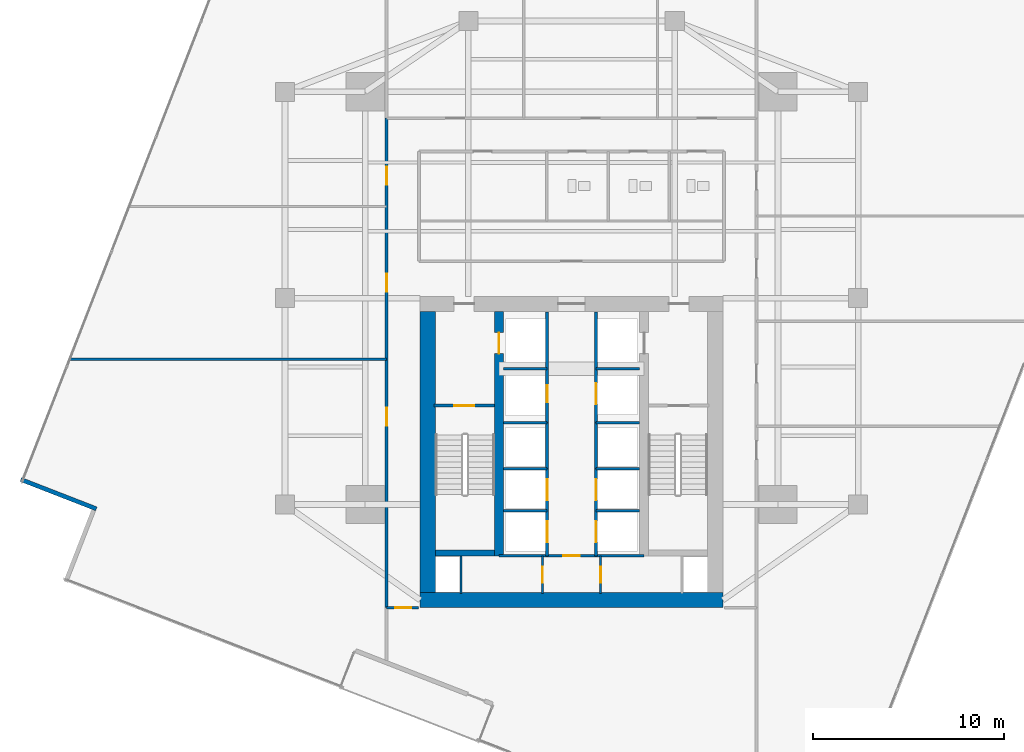
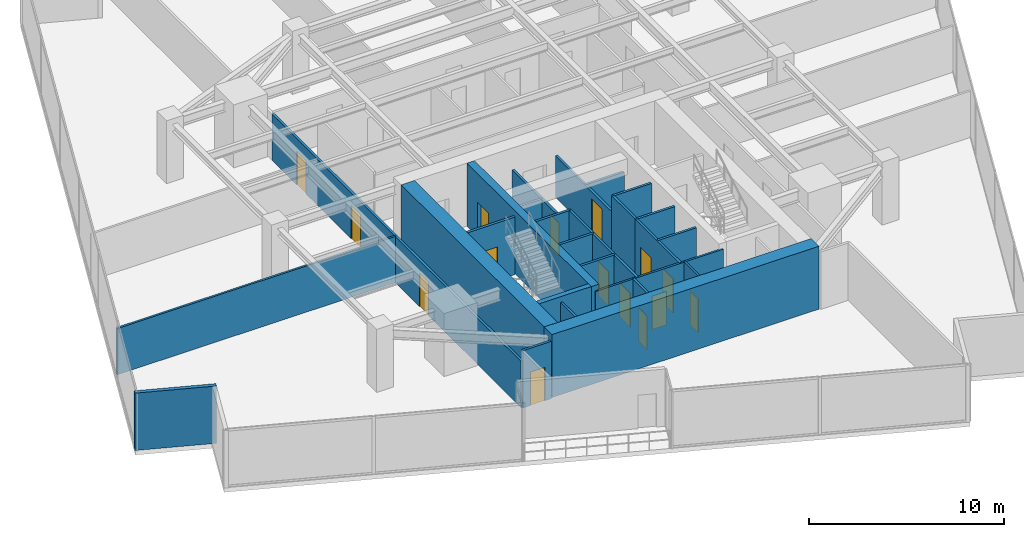
# One storey, part 22 of 26: 27 walls, 15 doors, 15 openings.
"""IFC4 building model written with IfcOpenShell, lengths in metres."""

from ifc_helpers import new_model, si_unit, direction, frame, frame_2d, origin, place, context, subcontext, project, spatial, rectangle, extrude, material, layer, layer_set, type_object, element, fill, save


model = new_model("IFC4")

# Units and contexts
model_context = context("Model", 3, precision=1e-05, world=origin(), true_north=direction((0.0, 1.0)))
body_context = subcontext(model_context, "Body", "Model", "MODEL_VIEW")
ifc_project = project(units=[si_unit("LENGTHUNIT", "METRE"), si_unit("AREAUNIT", "SQUARE_METRE"), si_unit("VOLUMEUNIT", "CUBIC_METRE"), si_unit("PLANEANGLEUNIT", "RADIAN"), si_unit("MASSUNIT", "GRAM", prefix="KILO")], contexts=[model_context])

# Site, building, storey
site_placement = place(None, origin())
site = spatial("IfcSite", under=ifc_project, at=site_placement, CompositionType="ELEMENT")
building_placement = place(site_placement, origin())
building = spatial("IfcBuilding", under=site, at=building_placement, Name="Krantzveldt Concourse Tower", CompositionType="ELEMENT")
storey_placement = place(building_placement, frame((0.0, 0.0, 137.449951171875)))
storey = spatial("IfcBuildingStorey", under=building, at=storey_placement, Name="L33", CompositionType="ELEMENT", Elevation=137.449951171875)

# Wall
ifc_material_1 = material(Name="Anodised aluminium 6063-T6", Category="aluminium")
ifc_layer_1 = layer(ifc_material_1, 0.219970703125, Name="Anodised aluminium 6063-T6", Category="aluminium")
ifc_layer_set_1 = layer_set([ifc_layer_1], Name="Anodised aluminium 6063-T6 (WL-EXT-NOTCH220)")
wall_type_1 = type_object("IfcWallType", Name="WL-EXT-NOTCH220", PredefinedType="ELEMENTEDWALL", material=ifc_layer_set_1)
wall_1_placement = place(storey_placement, frame((7.17626953125, 17.211669921875, 0.0), z_axis=(0.0, 0.0, 1.0), x_axis=(0.932003592198, -0.362449036596, 0.0)))
element("IfcWall", 1, at=wall_1_placement, inside=storey, type_object=wall_type_1, Name="EW-L33-NCH02", PredefinedType="ELEMENTEDWALL", context=body_context, shape_type="SweptSolid", body=[
    extrude(rectangle(XDim=4.244873046875, YDim=0.219970703125, at=frame_2d((2.12255859375, 0.0))), origin(), (0.0, 0.0, 1.0), 3.60009765625),
])

# Wall, opening, door
ifc_material_2 = material(Name="Fire-rated gypsum plasterboard on steel stud", Category="steel")
ifc_layer_2 = layer(ifc_material_2, 0.1201171875, Name="Fire-rated gypsum plasterboard on steel stud", Category="steel")
ifc_layer_set_2 = layer_set([ifc_layer_2], Name="Fire-rated gypsum plasterboard on steel stud (WL-PART-120)")
wall_type_2 = type_object("IfcWallType", Name="WL-PART-120", PredefinedType="PARTITIONING", material=ifc_layer_set_2)
wall_2_placement = place(storey_placement, frame((32.2099609375, 13.219970703125, 0.0), z_axis=(0.0, 0.0, 1.0), x_axis=(1.0, 0.0, 0.0)))
wall_2 = element("IfcWall", 2, at=wall_2_placement, inside=storey, type_object=wall_type_2, Name="WP-L33-CS2H", PredefinedType="PARTITIONING", context=body_context, shape_type="SweptSolid", body=[
    extrude(rectangle(XDim=7.580078125, YDim=0.1201171875, at=frame_2d((3.7900390625, 0.0))), origin(), (0.0, 0.0, 1.0), 3.60009765625),
])
opening_1_placement = place(wall_2_placement, frame((3.364990234375, 0.0, 0.0)))
opening_1 = element("IfcOpeningElement", 3, at=opening_1_placement, cuts=wall_2, Name="Opening D-IN085", PredefinedType="OPENING", context=body_context, shape_type="SweptSolid", body=[
    extrude(rectangle(XDim=0.85009765625, YDim=2.10009765625, at=frame_2d((0.425048828125, 1.050048828125))), frame((0.0, 0.070068359375, 0.0), z_axis=(0.0, -1.0, 0.0), x_axis=(1.0, 0.0, 0.0)), (0.0, 0.0, 1.0), 0.14013671875),
])
ifc_material_3 = material(Name="Hardwood timber", Category="wood")
door_type_1 = type_object("IfcDoorType", Name="DR-INT-850", OperationType="SINGLE_SWING_LEFT", PredefinedType="DOOR", material=ifc_material_3)
door_1_placement = place(opening_1_placement, origin())
door_1 = element("IfcDoor", 4, at=door_1_placement, inside=storey, type_object=door_type_1, Name="DR-L33-LLBS", OperationType="SINGLE_SWING_RIGHT", OverallHeight=2.10009765625, OverallWidth=0.85009765625, PredefinedType="DOOR", context=body_context, shape_type="SweptSolid", body=[
    extrude(rectangle(XDim=0.85009765625, YDim=2.10009765625, at=frame_2d((0.425048828125, 1.050048828125))), frame((0.0, 0.02490234375, 0.0), z_axis=(0.0, -1.0, 0.0), x_axis=(1.0, 0.0, 0.0)), (0.0, 0.0, 1.0), 0.050048828125),
])
fill(opening_1, door_1)

wall_3_placement = place(storey_placement, frame((34.47998046875, 11.25, 0.0), z_axis=(0.0, 0.0, 1.0), x_axis=(0.0, 1.0, 0.0)))
wall_3 = element("IfcWall", 5, at=wall_3_placement, inside=storey, type_object=wall_type_2, Name="WP-L33-CSB-VL", PredefinedType="PARTITIONING", context=body_context, shape_type="SweptSolid", body=[
    extrude(rectangle(XDim=1.969970703125, YDim=0.1201171875, at=frame_2d((0.98486328125, 0.0))), origin(), (0.0, 0.0, 1.0), 3.60009765625),
])
opening_2_placement = place(wall_3_placement, frame((0.544921875, 0.0, 0.0)))
opening_2 = element("IfcOpeningElement", 6, at=opening_2_placement, cuts=wall_3, Name="Opening D-IN085", PredefinedType="OPENING", context=body_context, shape_type="SweptSolid", body=[
    extrude(rectangle(XDim=0.85009765625, YDim=2.10009765625, at=frame_2d((0.425048828125, 1.050048828125))), frame((0.0, 0.070068359375, 0.0), z_axis=(0.0, -1.0, 0.0), x_axis=(1.0, 0.0, 0.0)), (0.0, 0.0, 1.0), 0.14013671875),
])
door_2_placement = place(opening_2_placement, origin())
door_2 = element("IfcDoor", 7, at=door_2_placement, inside=storey, type_object=door_type_1, Name="DR-L33-CSB1", OperationType="SINGLE_SWING_LEFT", OverallHeight=2.10009765625, OverallWidth=0.85009765625, PredefinedType="DOOR", context=body_context, shape_type="SweptSolid", body=[
    extrude(rectangle(XDim=0.85009765625, YDim=2.10009765625, at=frame_2d((0.425048828125, 1.050048828125))), frame((0.0, 0.02490234375, 0.0), z_axis=(0.0, -1.0, 0.0), x_axis=(1.0, 0.0, 0.0)), (0.0, 0.0, 1.0), 0.050048828125),
])
fill(opening_2, door_2)

wall_4_placement = place(storey_placement, frame((37.52001953125, 11.25, 0.0), z_axis=(0.0, 0.0, 1.0), x_axis=(0.0, 1.0, 0.0)))
wall_4 = element("IfcWall", 8, at=wall_4_placement, inside=storey, type_object=wall_type_2, Name="WP-L33-CSB-VR", PredefinedType="PARTITIONING", context=body_context, shape_type="SweptSolid", body=[
    extrude(rectangle(XDim=1.969970703125, YDim=0.1201171875, at=frame_2d((0.98486328125, 0.0))), origin(), (0.0, 0.0, 1.0), 3.60009765625),
])
opening_3_placement = place(wall_4_placement, frame((0.544921875, 0.0, 0.0)))
opening_3 = element("IfcOpeningElement", 9, at=opening_3_placement, cuts=wall_4, Name="Opening D-IN085", PredefinedType="OPENING", context=body_context, shape_type="SweptSolid", body=[
    extrude(rectangle(XDim=0.85009765625, YDim=2.10009765625, at=frame_2d((0.425048828125, 1.050048828125))), frame((0.0, 0.070068359375, 0.0), z_axis=(0.0, -1.0, 0.0), x_axis=(1.0, 0.0, 0.0)), (0.0, 0.0, 1.0), 0.14013671875),
])
door_3_placement = place(opening_3_placement, origin())
door_3 = element("IfcDoor", 10, at=door_3_placement, inside=storey, type_object=door_type_1, Name="DR-L33-CSB2", OperationType="SINGLE_SWING_RIGHT", OverallHeight=2.10009765625, OverallWidth=0.85009765625, PredefinedType="DOOR", context=body_context, shape_type="SweptSolid", body=[
    extrude(rectangle(XDim=0.85009765625, YDim=2.10009765625, at=frame_2d((0.425048828125, 1.050048828125))), frame((0.0, 0.02490234375, 0.0), z_axis=(0.0, -1.0, 0.0), x_axis=(1.0, 0.0, 0.0)), (0.0, 0.0, 1.0), 0.050048828125),
])
fill(opening_3, door_3)

# Wall
wall_5_placement = place(storey_placement, frame((9.7451171875, 23.5, 0.0), z_axis=(0.0, 0.0, 1.0), x_axis=(1.0, 0.0, 0.0)))
element("IfcWall", 11, at=wall_5_placement, inside=storey, type_object=wall_type_2, Name="WP-L33-WD1", PredefinedType="PARTITIONING", context=body_context, shape_type="SweptSolid", body=[
    extrude(rectangle(XDim=16.574951171875, YDim=0.1201171875, at=frame_2d((8.28759765625, 0.0))), origin(), (0.0, 0.0, 1.0), 2.900146484375),
])

# Wall, openings, doors
ifc_layer_3 = layer(ifc_material_2, 0.139892578125, Name="Fire-rated gypsum plasterboard on steel stud", Category="steel")
ifc_layer_set_3 = layer_set([ifc_layer_3], Name="Fire-rated gypsum plasterboard on steel stud (WL-PART-140)")
wall_type_3 = type_object("IfcWallType", Name="WL-PART-140", PredefinedType="PARTITIONING", material=ifc_layer_set_3)
wall_6_placement = place(storey_placement, frame((26.320068359375, 10.5, 0.0), z_axis=(0.0, 0.0, 1.0), x_axis=(0.0, 1.0, 0.0)))
wall_6 = element("IfcWall", 12, at=wall_6_placement, inside=storey, type_object=wall_type_3, Name="WP-L33-CWEST", PredefinedType="PARTITIONING", context=body_context, shape_type="SweptSolid", body=[
    extrude(rectangle(XDim=25.6201171875, YDim=0.139892578125, at=frame_2d((12.81005859375, 0.0))), origin(), (0.0, 0.0, 1.0), 2.900146484375),
])
opening_4_placement = place(wall_6_placement, frame((9.52490234375, 0.0, 0.0)))
opening_4 = element("IfcOpeningElement", 13, at=opening_4_placement, cuts=wall_6, Name="Opening D-IN095", PredefinedType="OPENING", context=body_context, shape_type="SweptSolid", body=[
    extrude(rectangle(XDim=0.949951171875, YDim=2.10009765625, at=frame_2d((0.47509765625, 1.050048828125))), frame((0.0, 0.080078125, 0.0), z_axis=(0.0, -1.0, 0.0), x_axis=(1.0, 0.0, 0.0)), (0.0, 0.0, 1.0), 0.159912109375),
])
opening_5_placement = place(wall_6_placement, frame((16.52490234375, 0.0, 0.0)))
opening_5 = element("IfcOpeningElement", 14, at=opening_5_placement, cuts=wall_6, Name="Opening D-IN095", PredefinedType="OPENING", context=body_context, shape_type="SweptSolid", body=[
    extrude(rectangle(XDim=0.949951171875, YDim=2.10009765625, at=frame_2d((0.47509765625, 1.050048828125))), frame((0.0, 0.080078125, 0.0), z_axis=(0.0, -1.0, 0.0), x_axis=(1.0, 0.0, 0.0)), (0.0, 0.0, 1.0), 0.159912109375),
])
opening_6_placement = place(wall_6_placement, frame((22.125, 0.0, 0.0)))
opening_6 = element("IfcOpeningElement", 15, at=opening_6_placement, cuts=wall_6, Name="Opening D-IN095", PredefinedType="OPENING", context=body_context, shape_type="SweptSolid", body=[
    extrude(rectangle(XDim=0.949951171875, YDim=2.10009765625, at=frame_2d((0.47509765625, 1.050048828125))), frame((0.0, 0.080078125, 0.0), z_axis=(0.0, -1.0, 0.0), x_axis=(1.0, 0.0, 0.0)), (0.0, 0.0, 1.0), 0.159912109375),
])
door_type_2 = type_object("IfcDoorType", Name="DR-INT-950", OperationType="SINGLE_SWING_LEFT", PredefinedType="DOOR", material=ifc_material_3)
door_4_placement = place(opening_4_placement, origin())
door_4 = element("IfcDoor", 16, at=door_4_placement, inside=storey, type_object=door_type_2, Name="DR-L33-WR1", OperationType="SINGLE_SWING_LEFT", OverallHeight=2.10009765625, OverallWidth=0.949951171875, PredefinedType="DOOR", context=body_context, shape_type="SweptSolid", body=[
    extrude(rectangle(XDim=0.949951171875, YDim=2.10009765625, at=frame_2d((0.47509765625, 1.050048828125))), frame((0.0, 0.02490234375, 0.0), z_axis=(0.0, -1.0, 0.0), x_axis=(1.0, 0.0, 0.0)), (0.0, 0.0, 1.0), 0.050048828125),
])
fill(opening_4, door_4)
door_5_placement = place(opening_5_placement, origin())
door_5 = element("IfcDoor", 17, at=door_5_placement, inside=storey, type_object=door_type_2, Name="DR-L33-WR2", OperationType="SINGLE_SWING_LEFT", OverallHeight=2.10009765625, OverallWidth=0.949951171875, PredefinedType="DOOR", context=body_context, shape_type="SweptSolid", body=[
    extrude(rectangle(XDim=0.949951171875, YDim=2.10009765625, at=frame_2d((0.47509765625, 1.050048828125))), frame((0.0, 0.02490234375, 0.0), z_axis=(0.0, -1.0, 0.0), x_axis=(1.0, 0.0, 0.0)), (0.0, 0.0, 1.0), 0.050048828125),
])
fill(opening_5, door_5)
door_6_placement = place(opening_6_placement, origin())
door_6 = element("IfcDoor", 18, at=door_6_placement, inside=storey, type_object=door_type_2, Name="DR-L33-WR3", OperationType="SINGLE_SWING_LEFT", OverallHeight=2.10009765625, OverallWidth=0.949951171875, PredefinedType="DOOR", context=body_context, shape_type="SweptSolid", body=[
    extrude(rectangle(XDim=0.949951171875, YDim=2.10009765625, at=frame_2d((0.47509765625, 1.050048828125))), frame((0.0, 0.02490234375, 0.0), z_axis=(0.0, -1.0, 0.0), x_axis=(1.0, 0.0, 0.0)), (0.0, 0.0, 1.0), 0.050048828125),
])
fill(opening_6, door_6)

# Wall, opening, door
wall_7_placement = place(storey_placement, frame((26.320068359375, 10.5, 0.0), z_axis=(0.0, 0.0, 1.0), x_axis=(1.0, 0.0, 0.0)))
wall_7 = element("IfcWall", 19, at=wall_7_placement, inside=storey, type_object=wall_type_3, Name="WP-L33-CWBOT", PredefinedType="PARTITIONING", context=body_context, shape_type="SweptSolid", body=[
    extrude(rectangle(XDim=1.679931640625, YDim=0.139892578125, at=frame_2d((0.83984375, 0.0))), origin(), (0.0, 0.0, 1.0), 3.60009765625),
])
opening_7_placement = place(wall_7_placement, frame((0.445068359375, 0.0, 0.0)))
opening_7 = element("IfcOpeningElement", 20, at=opening_7_placement, cuts=wall_7, Name="Opening D-IN085", PredefinedType="OPENING", context=body_context, shape_type="SweptSolid", body=[
    extrude(rectangle(XDim=0.85009765625, YDim=2.10009765625, at=frame_2d((0.425048828125, 1.050048828125))), frame((0.0, 0.080078125, 0.0), z_axis=(0.0, -1.0, 0.0), x_axis=(1.0, 0.0, 0.0)), (0.0, 0.0, 1.0), 0.159912109375),
])
door_7_placement = place(opening_7_placement, origin())
door_7 = element("IfcDoor", 21, at=door_7_placement, inside=storey, type_object=door_type_1, Name="DR-L33-SR1", OperationType="SINGLE_SWING_LEFT", OverallHeight=2.10009765625, OverallWidth=0.85009765625, PredefinedType="DOOR", context=body_context, shape_type="SweptSolid", body=[
    extrude(rectangle(XDim=0.85009765625, YDim=2.10009765625, at=frame_2d((0.425048828125, 1.050048828125))), frame((0.0, 0.02490234375, 0.0), z_axis=(0.0, -1.0, 0.0), x_axis=(1.0, 0.0, 0.0)), (0.0, 0.0, 1.0), 0.050048828125),
])
fill(opening_7, door_7)

ifc_layer_4 = layer(ifc_material_2, 0.139892578125, Name="Fire-rated gypsum plasterboard on steel stud", Category="steel")
ifc_layer_set_4 = layer_set([ifc_layer_4], Name="Fire-rated gypsum plasterboard on steel stud (WL-PART-FR140)")
wall_type_4 = type_object("IfcWallType", Name="WL-PART-FR140", PredefinedType="PARTITIONING", material=ifc_layer_set_4)
wall_8_placement = place(storey_placement, frame((34.719970703125, 20.199951171875, 0.0), z_axis=(0.0, 0.0, 1.0), x_axis=(0.0, 1.0, 0.0)))
wall_8 = element("IfcWall", 22, at=wall_8_placement, inside=storey, type_object=wall_type_4, Name="WP-L33-SHNW", PredefinedType="PARTITIONING", context=body_context, shape_type="SweptSolid", body=[
    extrude(rectangle(XDim=5.780029296875, YDim=0.139892578125, at=frame_2d((2.89013671875, 0.0))), origin(), (0.0, 0.0, 1.0), 2.60009765625),
])
opening_8_placement = place(wall_8_placement, frame((1.050048828125, 0.0, 0.0)))
opening_8 = element("IfcOpeningElement", 23, at=opening_8_placement, cuts=wall_8, Name="Opening D-FD090", PredefinedType="OPENING", context=body_context, shape_type="SweptSolid", body=[
    extrude(rectangle(XDim=0.89990234375, YDim=2.10009765625, at=frame_2d((0.449951171875, 1.050048828125))), frame((0.0, 0.080078125, 0.0), z_axis=(0.0, -1.0, 0.0), x_axis=(1.0, 0.0, 0.0)), (0.0, 0.0, 1.0), 0.159912109375),
])
door_type_3 = type_object("IfcDoorType", Name="DR-FD60-900", OperationType="SINGLE_SWING_LEFT", PredefinedType="DOOR", material=ifc_material_3)
door_8_placement = place(opening_8_placement, origin())
door_8 = element("IfcDoor", 24, at=door_8_placement, inside=storey, type_object=door_type_3, Name="Electrical Riser Access Door L33", OperationType="SINGLE_SWING_LEFT", OverallHeight=2.10009765625, OverallWidth=0.89990234375, PredefinedType="DOOR", context=body_context, shape_type="SweptSolid", body=[
    extrude(rectangle(XDim=0.89990234375, YDim=2.10009765625, at=frame_2d((0.449951171875, 1.050048828125))), frame((0.0, 0.02490234375, 0.0), z_axis=(0.0, -1.0, 0.0), x_axis=(1.0, 0.0, 0.0)), (0.0, 0.0, 1.0), 0.050048828125),
])
fill(opening_8, door_8)

wall_9_placement = place(storey_placement, frame((37.280029296875, 20.199951171875, 0.0), z_axis=(0.0, 0.0, 1.0), x_axis=(0.0, 1.0, 0.0)))
wall_9 = element("IfcWall", 25, at=wall_9_placement, inside=storey, type_object=wall_type_4, Name="WP-L33-SHNE", PredefinedType="PARTITIONING", context=body_context, shape_type="SweptSolid", body=[
    extrude(rectangle(XDim=5.780029296875, YDim=0.139892578125, at=frame_2d((2.89013671875, 0.0))), origin(), (0.0, 0.0, 1.0), 2.60009765625),
])
opening_9_placement = place(wall_9_placement, frame((0.949951171875, 0.0, 0.0)))
opening_9 = element("IfcOpeningElement", 26, at=opening_9_placement, cuts=wall_9, Name="Opening LD", PredefinedType="OPENING", context=body_context, shape_type="SweptSolid", body=[
    extrude(rectangle(XDim=1.10009765625, YDim=2.14990234375, at=frame_2d((0.550048828125, 1.074951171875))), frame((0.0, 0.080078125, 0.0), z_axis=(0.0, -1.0, 0.0), x_axis=(1.0, 0.0, 0.0)), (0.0, 0.0, 1.0), 0.159912109375),
])
ifc_material_4 = material(Name="Stainless steel 316L", Category="steel")
door_type_4 = type_object("IfcDoorType", Name="DR-SLIDE-LD1100", OperationType="DOUBLE_DOOR_SLIDING", PredefinedType="DOOR", material=ifc_material_4)
door_9_placement = place(opening_9_placement, origin())
door_9 = element("IfcDoor", 27, at=door_9_placement, inside=storey, type_object=door_type_4, Name="LD-L33-GL1", OperationType="DOUBLE_DOOR_SLIDING", OverallHeight=2.14990234375, OverallWidth=1.10009765625, PredefinedType="DOOR", context=body_context, shape_type="SweptSolid", body=[
    extrude(rectangle(XDim=1.10009765625, YDim=2.14990234375, at=frame_2d((0.550048828125, 1.074951171875))), frame((0.0, 0.02490234375, 0.0), z_axis=(0.0, -1.0, 0.0), x_axis=(1.0, 0.0, 0.0)), (0.0, 0.0, 1.0), 0.050048828125),
])
fill(opening_9, door_9)

# Walls
for number, where, z_axis, x_axis, name in (
    (28, (32.449951171875, 23.0, 0.0), (0.0, 0.0, 1.0), (1.0, 0.0, 0.0), "WP-L33-RISH"),
    (29, (37.280029296875, 23.0, 0.0), (0.0, 0.0, 1.0), (1.0, 0.0, 0.0), "WP-L33-GLH"),
):
    element("IfcWall", number, at=place(storey_placement, frame(where, z_axis=z_axis, x_axis=x_axis)), inside=storey, type_object=wall_type_4, Name=name, PredefinedType="PARTITIONING", context=body_context, shape_type="SweptSolid", body=[
        extrude(rectangle(XDim=2.27001953125, YDim=0.139892578125, at=frame_2d((1.135009765625, 0.0))), origin(), (0.0, 0.0, 1.0), 2.60009765625),
    ])
for number, where, z_axis, x_axis, name in (
    (30, (34.719970703125, 17.780029296875, 0.0), (0.0, 0.0, 1.0), (0.0, 1.0, 0.0), "WP-L33-SHNW2"),
    (31, (37.280029296875, 17.780029296875, 0.0), (0.0, 0.0, 1.0), (0.0, 1.0, 0.0), "WP-L33-SHNE2"),
):
    element("IfcWall", number, at=place(storey_placement, frame(where, z_axis=z_axis, x_axis=x_axis)), inside=storey, type_object=wall_type_4, Name=name, PredefinedType="PARTITIONING", context=body_context, shape_type="SweptSolid", body=[
        extrude(rectangle(XDim=2.419921875, YDim=0.139892578125, at=frame_2d((1.2099609375, 0.0))), origin(), (0.0, 0.0, 1.0), 3.60009765625),
    ])
for number, where, z_axis, x_axis, name in (
    (32, (32.449951171875, 17.780029296875, 0.0), (0.0, 0.0, 1.0), (1.0, 0.0, 0.0), "WP-L33-DIVW2"),
    (33, (32.449951171875, 20.179931640625, 0.0), (0.0, 0.0, 1.0), (1.0, 0.0, 0.0), "WP-L33-DIVW3"),
    (34, (37.280029296875, 17.780029296875, 0.0), (0.0, 0.0, 1.0), (1.0, 0.0, 0.0), "WP-L33-DIVE2"),
    (35, (37.280029296875, 20.179931640625, 0.0), (0.0, 0.0, 1.0), (1.0, 0.0, 0.0), "WP-L33-DIVE3"),
):
    element("IfcWall", number, at=place(storey_placement, frame(where, z_axis=z_axis, x_axis=x_axis)), inside=storey, type_object=wall_type_4, Name=name, PredefinedType="PARTITIONING", context=body_context, shape_type="SweptSolid", body=[
        extrude(rectangle(XDim=2.27001953125, YDim=0.139892578125, at=frame_2d((1.135009765625, 0.0))), origin(), (0.0, 0.0, 1.0), 3.60009765625),
    ])

# Wall, openings, doors
wall_10_placement = place(storey_placement, frame((34.719970703125, 13.219970703125, 0.0), z_axis=(0.0, 0.0, 1.0), x_axis=(0.0, 1.0, 0.0)))
wall_10 = element("IfcWall", 36, at=wall_10_placement, inside=storey, type_object=wall_type_4, Name="WP-L33-SHSW", PredefinedType="PARTITIONING", context=body_context, shape_type="SweptSolid", body=[
    extrude(rectangle(XDim=4.56005859375, YDim=0.139892578125, at=frame_2d((2.280029296875, 0.0))), origin(), (0.0, 0.0, 1.0), 3.60009765625),
])
opening_10_placement = place(wall_10_placement, frame((0.7099609375, 0.0, 0.0)))
opening_10 = element("IfcOpeningElement", 37, at=opening_10_placement, cuts=wall_10, Name="Opening LD", PredefinedType="OPENING", context=body_context, shape_type="SweptSolid", body=[
    extrude(rectangle(XDim=1.10009765625, YDim=2.14990234375, at=frame_2d((0.550048828125, 1.074951171875))), frame((0.0, 0.080078125, 0.0), z_axis=(0.0, -1.0, 0.0), x_axis=(1.0, 0.0, 0.0)), (0.0, 0.0, 1.0), 0.159912109375),
])
opening_11_placement = place(wall_10_placement, frame((2.909912109375, 0.0, 0.0)))
opening_11 = element("IfcOpeningElement", 38, at=opening_11_placement, cuts=wall_10, Name="Opening LD", PredefinedType="OPENING", context=body_context, shape_type="SweptSolid", body=[
    extrude(rectangle(XDim=1.10009765625, YDim=2.14990234375, at=frame_2d((0.550048828125, 1.074951171875))), frame((0.0, 0.080078125, 0.0), z_axis=(0.0, -1.0, 0.0), x_axis=(1.0, 0.0, 0.0)), (0.0, 0.0, 1.0), 0.159912109375),
])
door_10_placement = place(opening_10_placement, origin())
door_10 = element("IfcDoor", 39, at=door_10_placement, inside=storey, type_object=door_type_4, Name="LD-L33-PL1", OperationType="DOUBLE_DOOR_SLIDING", OverallHeight=2.14990234375, OverallWidth=1.10009765625, PredefinedType="DOOR", context=body_context, shape_type="SweptSolid", body=[
    extrude(rectangle(XDim=1.10009765625, YDim=2.14990234375, at=frame_2d((0.550048828125, 1.074951171875))), frame((0.0, 0.02490234375, 0.0), z_axis=(0.0, -1.0, 0.0), x_axis=(1.0, 0.0, 0.0)), (0.0, 0.0, 1.0), 0.050048828125),
])
fill(opening_10, door_10)
door_11_placement = place(opening_11_placement, origin())
door_11 = element("IfcDoor", 40, at=door_11_placement, inside=storey, type_object=door_type_4, Name="LD-L33-PL2", OperationType="DOUBLE_DOOR_SLIDING", OverallHeight=2.14990234375, OverallWidth=1.10009765625, PredefinedType="DOOR", context=body_context, shape_type="SweptSolid", body=[
    extrude(rectangle(XDim=1.10009765625, YDim=2.14990234375, at=frame_2d((0.550048828125, 1.074951171875))), frame((0.0, 0.02490234375, 0.0), z_axis=(0.0, -1.0, 0.0), x_axis=(1.0, 0.0, 0.0)), (0.0, 0.0, 1.0), 0.050048828125),
])
fill(opening_11, door_11)

# Wall
wall_11_placement = place(storey_placement, frame((32.449951171875, 15.580078125, 0.0), z_axis=(0.0, 0.0, 1.0), x_axis=(1.0, 0.0, 0.0)))
element("IfcWall", 41, at=wall_11_placement, inside=storey, type_object=wall_type_4, Name="WP-L33-DIVW1", PredefinedType="PARTITIONING", context=body_context, shape_type="SweptSolid", body=[
    extrude(rectangle(XDim=2.27001953125, YDim=0.139892578125, at=frame_2d((1.135009765625, 0.0))), origin(), (0.0, 0.0, 1.0), 3.60009765625),
])

# Wall, openings, doors
wall_12_placement = place(storey_placement, frame((37.280029296875, 13.219970703125, 0.0), z_axis=(0.0, 0.0, 1.0), x_axis=(0.0, 1.0, 0.0)))
wall_12 = element("IfcWall", 42, at=wall_12_placement, inside=storey, type_object=wall_type_4, Name="WP-L33-SHSE", PredefinedType="PARTITIONING", context=body_context, shape_type="SweptSolid", body=[
    extrude(rectangle(XDim=4.56005859375, YDim=0.139892578125, at=frame_2d((2.280029296875, 0.0))), origin(), (0.0, 0.0, 1.0), 3.60009765625),
])
opening_12_placement = place(wall_12_placement, frame((0.7099609375, 0.0, 0.0)))
opening_12 = element("IfcOpeningElement", 43, at=opening_12_placement, cuts=wall_12, Name="Opening LD", PredefinedType="OPENING", context=body_context, shape_type="SweptSolid", body=[
    extrude(rectangle(XDim=1.10009765625, YDim=2.14990234375, at=frame_2d((0.550048828125, 1.074951171875))), frame((0.0, 0.080078125, 0.0), z_axis=(0.0, -1.0, 0.0), x_axis=(1.0, 0.0, 0.0)), (0.0, 0.0, 1.0), 0.159912109375),
])
opening_13_placement = place(wall_12_placement, frame((2.909912109375, 0.0, 0.0)))
opening_13 = element("IfcOpeningElement", 44, at=opening_13_placement, cuts=wall_12, Name="Opening LD", PredefinedType="OPENING", context=body_context, shape_type="SweptSolid", body=[
    extrude(rectangle(XDim=1.10009765625, YDim=2.14990234375, at=frame_2d((0.550048828125, 1.074951171875))), frame((0.0, 0.080078125, 0.0), z_axis=(0.0, -1.0, 0.0), x_axis=(1.0, 0.0, 0.0)), (0.0, 0.0, 1.0), 0.159912109375),
])
door_12_placement = place(opening_12_placement, origin())
door_12 = element("IfcDoor", 45, at=door_12_placement, inside=storey, type_object=door_type_4, Name="LD-L33-PM1", OperationType="DOUBLE_DOOR_SLIDING", OverallHeight=2.14990234375, OverallWidth=1.10009765625, PredefinedType="DOOR", context=body_context, shape_type="SweptSolid", body=[
    extrude(rectangle(XDim=1.10009765625, YDim=2.14990234375, at=frame_2d((0.550048828125, 1.074951171875))), frame((0.0, 0.02490234375, 0.0), z_axis=(0.0, -1.0, 0.0), x_axis=(1.0, 0.0, 0.0)), (0.0, 0.0, 1.0), 0.050048828125),
])
fill(opening_12, door_12)
door_13_placement = place(opening_13_placement, origin())
door_13 = element("IfcDoor", 46, at=door_13_placement, inside=storey, type_object=door_type_4, Name="LD-L33-PM2", OperationType="DOUBLE_DOOR_SLIDING", OverallHeight=2.14990234375, OverallWidth=1.10009765625, PredefinedType="DOOR", context=body_context, shape_type="SweptSolid", body=[
    extrude(rectangle(XDim=1.10009765625, YDim=2.14990234375, at=frame_2d((0.550048828125, 1.074951171875))), frame((0.0, 0.02490234375, 0.0), z_axis=(0.0, -1.0, 0.0), x_axis=(1.0, 0.0, 0.0)), (0.0, 0.0, 1.0), 0.050048828125),
])
fill(opening_13, door_13)

# Walls
wall_13_placement = place(storey_placement, frame((37.280029296875, 15.580078125, 0.0), z_axis=(0.0, 0.0, 1.0), x_axis=(1.0, 0.0, 0.0)))
element("IfcWall", 47, at=wall_13_placement, inside=storey, type_object=wall_type_4, Name="WP-L33-DIVE1", PredefinedType="PARTITIONING", context=body_context, shape_type="SweptSolid", body=[
    extrude(rectangle(XDim=2.27001953125, YDim=0.139892578125, at=frame_2d((1.135009765625, 0.0))), origin(), (0.0, 0.0, 1.0), 3.60009765625),
])
wall_14_placement = place(storey_placement, frame((30.219970703125, 11.25, 0.0), z_axis=(0.0, 0.0, 1.0), x_axis=(0.0, 1.0, 0.0)))
element("IfcWall", 48, at=wall_14_placement, inside=storey, type_object=wall_type_4, Name="WP-L33-RSW", PredefinedType="PARTITIONING", context=body_context, shape_type="SweptSolid", body=[
    extrude(rectangle(XDim=1.969970703125, YDim=0.1201171875, at=frame_2d((0.98486328125, 0.0))), origin(), (0.0, 0.0, 1.0), 3.60009765625),
])

# Wall, opening, door
ifc_layer_5 = layer(ifc_material_2, 0.159912109375, Name="Fire-rated gypsum plasterboard on steel stud", Category="steel")
ifc_layer_set_5 = layer_set([ifc_layer_5], Name="Fire-rated gypsum plasterboard on steel stud (WL-PART-FR160)")
wall_type_5 = type_object("IfcWallType", Name="WL-PART-FR160", PredefinedType="PARTITIONING", material=ifc_layer_set_5)
wall_15_placement = place(storey_placement, frame((28.800048828125, 21.080078125, 0.0), z_axis=(0.0, 0.0, 1.0), x_axis=(1.0, 0.0, 0.0)))
wall_15 = element("IfcWall", 49, at=wall_15_placement, inside=storey, type_object=wall_type_5, Name="WP-L33-ST1", PredefinedType="PARTITIONING", context=body_context, shape_type="SweptSolid", body=[
    extrude(rectangle(XDim=3.159912109375, YDim=0.159912109375, at=frame_2d((1.580078125, 0.0))), origin(), (0.0, 0.0, 1.0), 3.60009765625),
])
opening_14_placement = place(wall_15_placement, frame((1.054931640625, 0.0, 0.0)))
opening_14 = element("IfcOpeningElement", 50, at=opening_14_placement, cuts=wall_15, Name="Opening D-FD105", PredefinedType="OPENING", context=body_context, shape_type="SweptSolid", body=[
    extrude(rectangle(XDim=1.050048828125, YDim=2.10009765625, at=frame_2d((0.52490234375, 1.050048828125))), frame((0.0, 0.08984375, 0.0), z_axis=(0.0, -1.0, 0.0), x_axis=(1.0, 0.0, 0.0)), (0.0, 0.0, 1.0), 0.179931640625),
])
ifc_material_5 = material(Name="Galvanised steel", Category="steel")
door_type_5 = type_object("IfcDoorType", Name="DR-FD120-1050", OperationType="SINGLE_SWING_LEFT", PredefinedType="DOOR", material=ifc_material_5)
door_14_placement = place(opening_14_placement, origin())
door_14 = element("IfcDoor", 51, at=door_14_placement, inside=storey, type_object=door_type_5, Name="DR-L33-ST1", OperationType="SINGLE_SWING_RIGHT", OverallHeight=2.10009765625, OverallWidth=1.050048828125, PredefinedType="DOOR", context=body_context, shape_type="SweptSolid", body=[
    extrude(rectangle(XDim=1.050048828125, YDim=2.10009765625, at=frame_2d((0.52490234375, 1.050048828125))), frame((0.0, 0.02490234375, 0.0), z_axis=(0.0, -1.0, 0.0), x_axis=(1.0, 0.0, 0.0)), (0.0, 0.0, 1.0), 0.050048828125),
])
fill(opening_14, door_14)

# Wall
ifc_material_6 = material(Name="Concrete C50/60", Category="concrete")
ifc_layer_6 = layer(ifc_material_6, 0.300048828125, Name="Concrete C50/60", Category="concrete")
ifc_layer_set_6 = layer_set([ifc_layer_6], Name="Concrete C50/60 (WL-SHEAR-300)")
wall_type_6 = type_object("IfcWallType", Name="WL-SHEAR-300", PredefinedType="SHEAR", material=ifc_layer_set_6)
wall_16_placement = place(storey_placement, frame((28.8798828125, 13.3701171875, 0.0), z_axis=(0.0, 0.0, 1.0), x_axis=(1.0, 0.0, 0.0)))
element("IfcWall", 52, at=wall_16_placement, inside=storey, type_object=wall_type_6, Name="CW-L33-ST1S", PredefinedType="SHEAR", context=body_context, shape_type="SweptSolid", body=[
    extrude(rectangle(XDim=3.10009765625, YDim=0.300048828125, at=frame_2d((1.550048828125, 0.0))), origin(), (0.0, 0.0, 1.0), 3.949951171875),
])

# Wall, opening, door
ifc_layer_7 = layer(ifc_material_6, 0.449951171875, Name="Concrete C50/60", Category="concrete")
ifc_layer_set_7 = layer_set([ifc_layer_7], Name="Concrete C50/60 (WL-SHEAR-450)")
wall_type_7 = type_object("IfcWallType", Name="WL-SHEAR-450", PredefinedType="SHEAR", material=ifc_layer_set_7)
wall_17_placement = place(storey_placement, frame((32.205078125, 13.219970703125, 0.0), z_axis=(0.0, 0.0, 1.0), x_axis=(0.0, 1.0, 0.0)))
wall_17 = element("IfcWall", 53, at=wall_17_placement, inside=storey, type_object=wall_type_7, Name="CW-L33-IW", PredefinedType="SHEAR", context=body_context, shape_type="SweptSolid", body=[
    extrude(rectangle(XDim=12.780029296875, YDim=0.449951171875, at=frame_2d((6.39013671875, 0.0))), origin(), (0.0, 0.0, 1.0), 3.949951171875),
])
opening_15_placement = place(wall_17_placement, frame((10.580078125, 0.0, 0.0)))
opening_15 = element("IfcOpeningElement", 54, at=opening_15_placement, cuts=wall_17, Name="Opening LD", PredefinedType="OPENING", context=body_context, shape_type="SweptSolid", body=[
    extrude(rectangle(XDim=1.10009765625, YDim=2.14990234375, at=frame_2d((0.550048828125, 1.074951171875))), frame((0.0, 0.23486328125, 0.0), z_axis=(0.0, -1.0, 0.0), x_axis=(1.0, 0.0, 0.0)), (0.0, 0.0, 1.0), 0.469970703125),
])
door_15_placement = place(opening_15_placement, origin())
door_15 = element("IfcDoor", 55, at=door_15_placement, inside=storey, type_object=door_type_4, Name="LD-L33-FL1", OperationType="DOUBLE_DOOR_SLIDING", OverallHeight=2.14990234375, OverallWidth=1.10009765625, PredefinedType="DOOR", context=body_context, shape_type="SweptSolid", body=[
    extrude(rectangle(XDim=1.10009765625, YDim=2.14990234375, at=frame_2d((0.550048828125, 1.074951171875))), frame((0.0, 0.02490234375, 0.0), z_axis=(0.0, -1.0, 0.0), x_axis=(1.0, 0.0, 0.0)), (0.0, 0.0, 1.0), 0.050048828125),
])
fill(opening_15, door_15)

# Walls
ifc_material_7 = material(Name="Concrete C60/75", Category="concrete")
ifc_layer_8 = layer(ifc_material_7, 0.800048828125, Name="Concrete C60/75", Category="concrete")
ifc_layer_set_8 = layer_set([ifc_layer_8], Name="Concrete C60/75 (WL-SHEAR-800)")
wall_type_8 = type_object("IfcWallType", Name="WL-SHEAR-800", PredefinedType="SHEAR", material=ifc_layer_set_8)
wall_18_placement = place(storey_placement, frame((28.080078125, 10.89990234375, 0.0), z_axis=(0.0, 0.0, 1.0), x_axis=(1.0, 0.0, 0.0)))
element("IfcWall", 56, at=wall_18_placement, inside=storey, type_object=wall_type_8, Name="CW-L33-S", PredefinedType="SHEAR", context=body_context, shape_type="SweptSolid", body=[
    extrude(rectangle(XDim=15.83984375, YDim=0.800048828125, at=frame_2d((7.919921875, 0.0))), origin(), (0.0, 0.0, 1.0), 3.949951171875),
])
wall_19_placement = place(storey_placement, frame((28.47998046875, 11.300048828125, 0.0), z_axis=(0.0, 0.0, 1.0), x_axis=(0.0, 1.0, 0.0)))
element("IfcWall", 57, at=wall_19_placement, inside=storey, type_object=wall_type_8, Name="CW-L33-W", PredefinedType="SHEAR", context=body_context, shape_type="SweptSolid", body=[
    extrude(rectangle(XDim=14.699951171875, YDim=0.800048828125, at=frame_2d((7.35009765625, 0.0))), origin(), (0.0, 0.0, 1.0), 3.949951171875),
])

save(model, "model.ifc")
